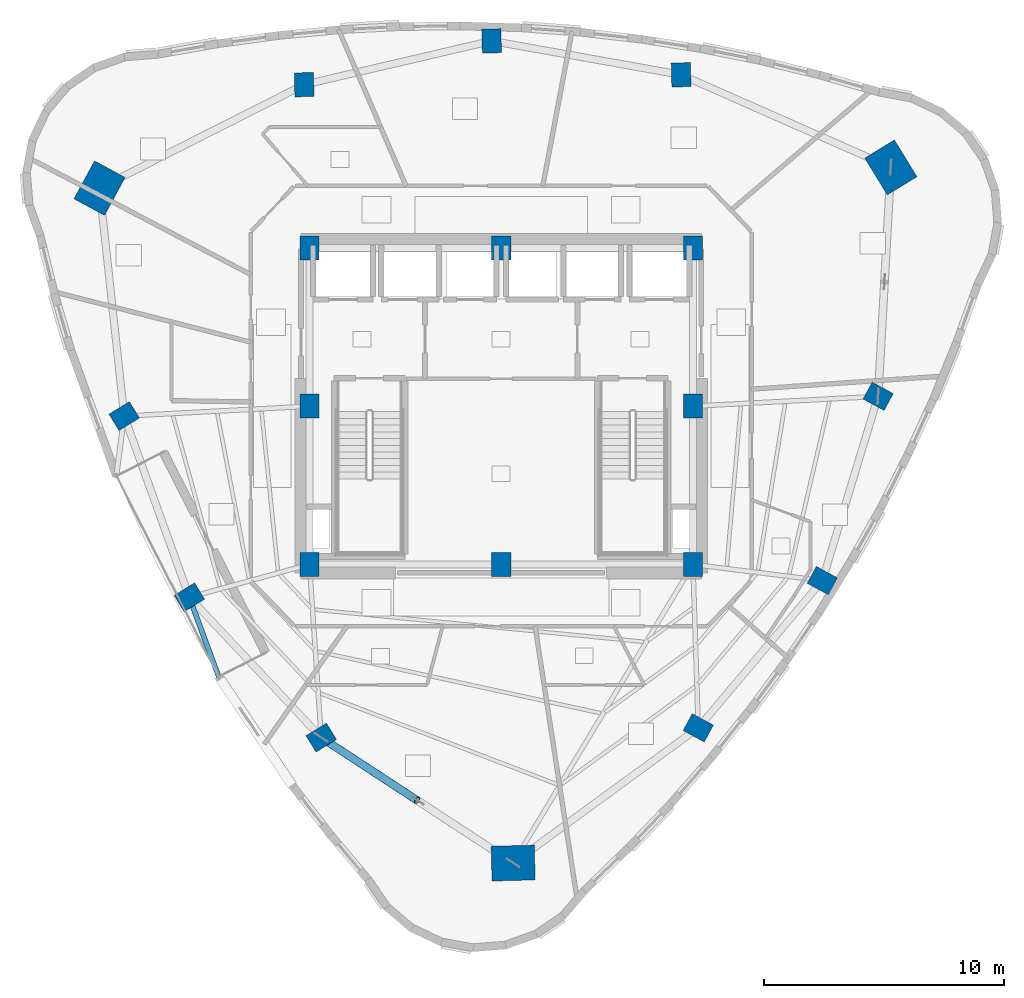
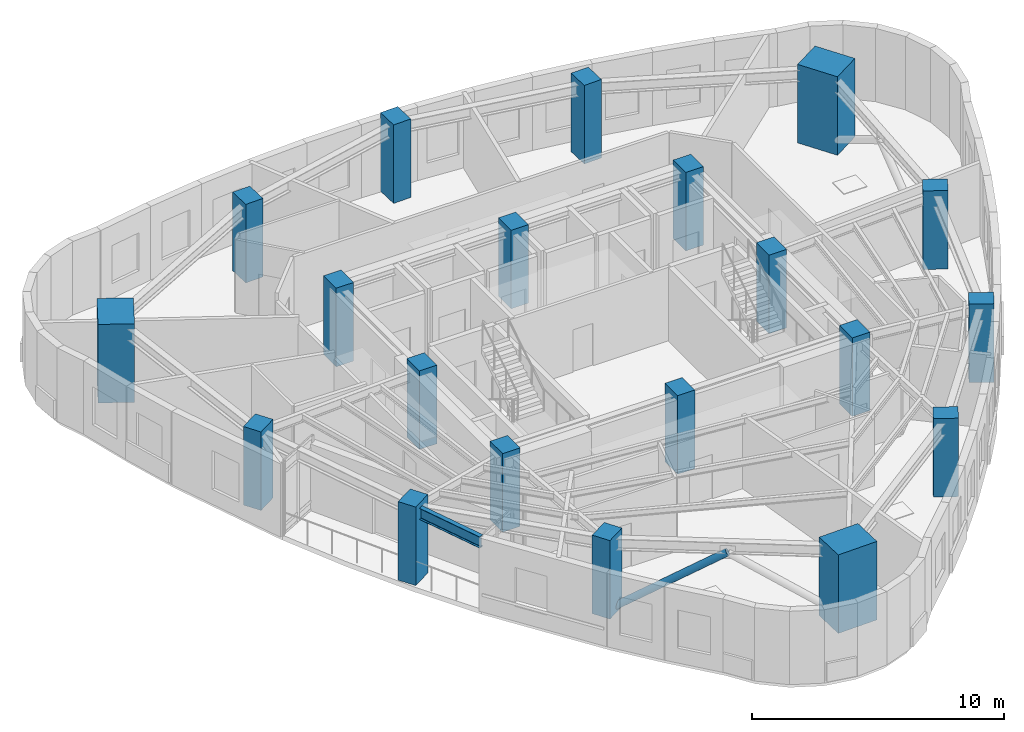
# One storey, part 1 of 13: 20 columns, 1 beam, 1 member.
"""IFC4 building model written with IfcOpenShell, lengths in metres."""

from ifc_helpers import new_model, si_unit, direction, frame, origin, origin_2d, place, context, subcontext, project, spatial, rectangle, hollow_circle, i_section, extrude, material, material_profile, profile_set, type_object, element, save


model = new_model("IFC4")

# Units and contexts
model_context = context("Model", 3, precision=1e-05, world=origin(), true_north=direction((0.0, 1.0)))
body_context = subcontext(model_context, "Body", "Model", "MODEL_VIEW")
ifc_project = project(units=[si_unit("LENGTHUNIT", "METRE"), si_unit("AREAUNIT", "SQUARE_METRE"), si_unit("VOLUMEUNIT", "CUBIC_METRE"), si_unit("PLANEANGLEUNIT", "RADIAN"), si_unit("MASSUNIT", "GRAM", prefix="KILO")], contexts=[model_context])

# Site, building, storey
site_placement = place(None, origin())
site = spatial("IfcSite", under=ifc_project, at=site_placement, CompositionType="ELEMENT")
building_placement = place(site_placement, origin())
building = spatial("IfcBuilding", under=site, at=building_placement, Name="Ndelora Gate Hotel", CompositionType="ELEMENT")
storey_placement = place(building_placement, frame((0.0, 0.0, 197.949951171875)))
storey = spatial("IfcBuildingStorey", under=building, at=storey_placement, Name="L49", CompositionType="ELEMENT", Elevation=197.949951171875)

# Columns
ifc_material_1 = material(Name="Concrete C50/60", Category="concrete")
ifc_material_profile_1 = material_profile(ifc_material_1, rectangle(XDim=0.800048828125, YDim=1.0, at=origin_2d()), Name="RC 1000x800")
ifc_profile_set_1 = profile_set([ifc_material_profile_1], Name="Concrete C50/60")
column_type_1 = type_object("IfcColumnType", Name="COL-CC-HI", PredefinedType="COLUMN", material=ifc_profile_set_1)
for number, where, z_axis, x_axis, name in (
    (1, (-8.0, -6.60009765625, 0.0), (0.0, 0.0, 1.0), (1.0, 0.0, 0.0), "L49 Core Column CC1"),
    (2, (0.0, -6.60009765625, 0.0), (0.0, 0.0, 1.0), (1.0, 0.0, 0.0), "L49 Core Column CC2"),
    (3, (8.0, -6.60009765625, 0.0), (0.0, 0.0, 1.0), (1.0, 0.0, 0.0), "L49 Core Column CC3"),
    (4, (8.0, 0.0, 0.0), (0.0, 0.0, 1.0), (1.0, 0.0, 0.0), "L49 Core Column CC4"),
    (5, (8.0, 6.60009765625, 0.0), (0.0, 0.0, 1.0), (1.0, 0.0, 0.0), "L49 Core Column CC5"),
    (6, (0.0, 6.60009765625, 0.0), (0.0, 0.0, 1.0), (1.0, 0.0, 0.0), "L49 Core Column CC6"),
    (7, (-8.0, 6.60009765625, 0.0), (0.0, 0.0, 1.0), (1.0, 0.0, 0.0), "L49 Core Column CC7"),
    (8, (-8.0, 0.0, 0.0), (0.0, 0.0, 1.0), (1.0, 0.0, 0.0), "L49 Core Column CC8"),
):
    element("IfcColumn", number, at=place(storey_placement, frame(where, z_axis=z_axis, x_axis=x_axis)), inside=storey, type_object=column_type_1, Name=name, PredefinedType="COLUMN", context=body_context, shape_type="SweptSolid", body=[
        extrude(rectangle(XDim=0.800048828125, YDim=1.0, at=origin_2d()), origin(), (0.0, 0.0, 1.0), 3.800048828125),
    ])
ifc_material_profile_2 = material_profile(ifc_material_1, rectangle(XDim=1.449951171875, YDim=1.800048828125, at=origin_2d()), Name="RC 1800x1450")
ifc_profile_set_2 = profile_set([ifc_material_profile_2], Name="Concrete C50/60")
column_type_2 = type_object("IfcColumnType", Name="COL-MC-Z3", PredefinedType="COLUMN", material=ifc_profile_set_2)
for number, where, z_axis, x_axis, name in (
    (9, (-16.759521484375, 9.099609375, 0.0), (0.0, 0.0, 1.0), (-0.878817112662, 0.47715876026, 0.0), "L49 Corner Mega-Column R1"),
    (10, (0.499267578125, -19.064208984375, 0.0), (0.0, 0.0, 1.0), (-0.026176948308, 0.999657324976, 0.0), "L49 Corner Mega-Column R5"),
    (11, (16.26025390625, 9.96435546875, 0.0), (0.0, 0.0, 1.0), (0.852640164354, 0.522498564716, 0.0), "L49 Corner Mega-Column R9"),
):
    element("IfcColumn", number, at=place(storey_placement, frame(where, z_axis=z_axis, x_axis=x_axis)), inside=storey, type_object=column_type_2, Name=name, PredefinedType="COLUMN", context=body_context, shape_type="SweptSolid", body=[
        extrude(rectangle(XDim=1.449951171875, YDim=1.800048828125, at=origin_2d()), origin(), (0.0, 0.0, 1.0), 3.800048828125),
    ])
ifc_material_profile_3 = material_profile(ifc_material_1, rectangle(XDim=0.800048828125, YDim=1.0, at=origin_2d()), Name="RC 1000x800")
ifc_profile_set_3 = profile_set([ifc_material_profile_3], Name="Concrete C50/60")
column_type_3 = type_object("IfcColumnType", Name="COL-PT-Z3", PredefinedType="COLUMN", material=ifc_profile_set_3)
for number, where, z_axis, x_axis, name in (
    (12, (-15.72998046875, -0.411865234375, 0.0), (0.0, 0.0, 1.0), (-0.522498564716, 0.852640164354, 0.0), "L49 Perimeter Tube Column R2"),
    (13, (-13.011962890625, -7.973876953125, 0.0), (0.0, 0.0, 1.0), (-0.522498564716, 0.852640164354, 0.0), "L49 Perimeter Tube Column R3"),
    (14, (-7.50830078125, -13.828369140625, 0.0), (0.0, 0.0, 1.0), (-0.522498564716, 0.852640164354, 0.0), "L49 Perimeter Tube Column R4"),
    (15, (8.223876953125, -13.419921875, 0.0), (0.0, 0.0, 1.0), (0.47715876026, 0.878817112662, 0.0), "L49 Perimeter Tube Column R6"),
    (16, (13.400390625, -7.275634765625, 0.0), (0.0, 0.0, 1.0), (0.47715876026, 0.878817112662, 0.0), "L49 Perimeter Tube Column R7"),
    (17, (15.72998046875, 0.411865234375, 0.0), (0.0, 0.0, 1.0), (0.47715876026, 0.878817112662, 0.0), "L49 Perimeter Tube Column R8"),
    (18, (7.50830078125, 13.828369140625, 0.0), (0.0, 0.0, 1.0), (0.999657324976, 0.026176948308, 0.0), "L49 Perimeter Tube Column R10"),
    (19, (-0.399169921875, 15.242919921875, 0.0), (0.0, 0.0, 1.0), (0.999657324976, 0.026176948308, 0.0), "L49 Perimeter Tube Column R11"),
    (20, (-8.2216796875, 13.41650390625, 0.0), (0.0, 0.0, 1.0), (0.999657324976, 0.026176948308, 0.0), "L49 Perimeter Tube Column R12"),
):
    element("IfcColumn", number, at=place(storey_placement, frame(where, z_axis=z_axis, x_axis=x_axis)), inside=storey, type_object=column_type_3, Name=name, PredefinedType="COLUMN", context=body_context, shape_type="SweptSolid", body=[
        extrude(rectangle(XDim=0.800048828125, YDim=1.0, at=origin_2d()), origin(), (0.0, 0.0, 1.0), 3.800048828125),
    ])

# Beam
ifc_material_2 = material(Name="Steel S355", Category="steel")
ifc_material_profile_4 = material_profile(ifc_material_2, i_section(OverallWidth=0.2099609375, OverallDepth=0.550048828125, WebThickness=0.010986328125, FlangeThickness=0.01708984375, FilletRadius=0.02392578125, at=origin_2d()), Name="IPE 550")
ifc_profile_set_4 = profile_set([ifc_material_profile_4], Name="Steel S355")
beam_type = type_object("IfcBeamType", Name="BM-RAD-550", PredefinedType="BEAM", material=ifc_profile_set_4)
beam_placement = place(storey_placement, frame((-13.011962890625, -7.973876953125, 3.275146484375), z_axis=(0.34572460366, -0.938336026391, 0.0), x_axis=(0.938336026391, 0.34572460366, 0.0)))
element("IfcBeam", 21, at=beam_placement, inside=storey, type_object=beam_type, Name="L49 Sky-Garden Loggia Column Bracket 3", PredefinedType="BEAM", context=body_context, shape_type="SweptSolid", body=[
    extrude(i_section(OverallWidth=0.2099609375, OverallDepth=0.550048828125, WebThickness=0.010986328125, FlangeThickness=0.01708984375, FilletRadius=0.02392578125, at=origin_2d()), origin(), (0.0, 0.0, 1.0), 3.52734375),
])

# Member
ifc_material_profile_5 = material_profile(ifc_material_2, hollow_circle(Radius=0.161865234375, WallThickness=0.01611328125, at=origin_2d()), Name="CHS 323.9x16")
ifc_profile_set_5 = profile_set([ifc_material_profile_5], Name="Steel S355")
member_type = type_object("IfcMemberType", Name="MB-TUBE-324", PredefinedType="BRACE", material=ifc_profile_set_5)
member_placement = place(storey_placement, frame((-7.50830078125, -13.828369140625, 0.02001953125), z_axis=(0.710410062042, -0.46449555459, 0.528735683981), x_axis=(0.547246612916, 0.836971412088, 0.0)))
element("IfcMember", 22, at=member_placement, inside=storey, type_object=member_type, Name="L49 Perimeter Braced-Tube Diagonal 4A", PredefinedType="BRACE", context=body_context, shape_type="SweptSolid", body=[
    extrude(hollow_circle(Radius=0.161865234375, WallThickness=0.01611328125, at=origin_2d()), origin(), (0.0, 0.0, 1.0), 5.635986328125),
])

save(model, "model.ifc")
